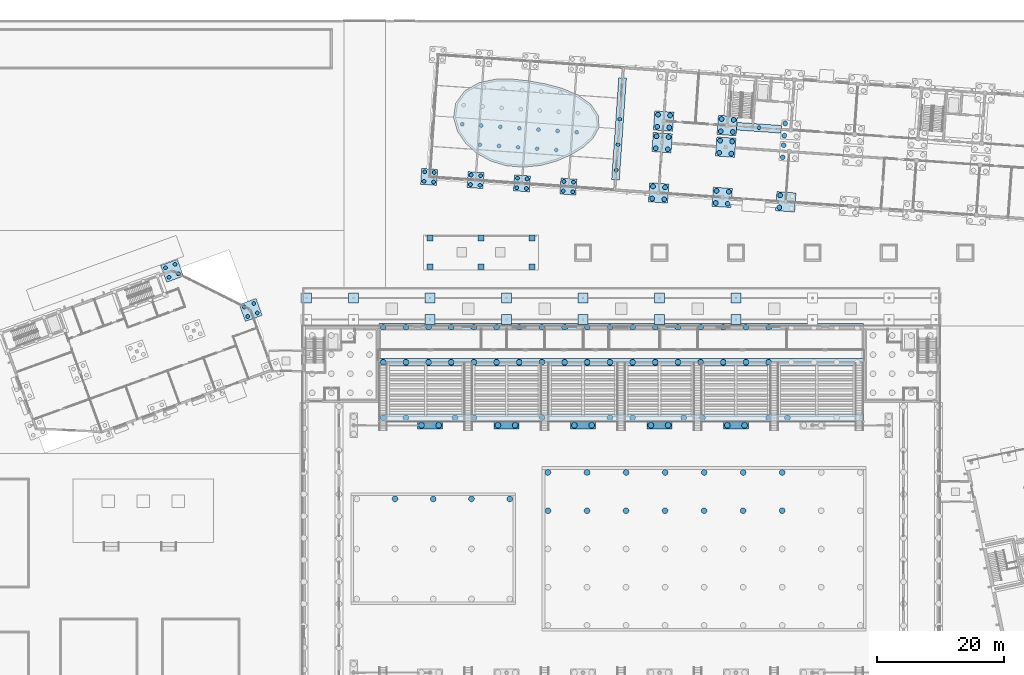
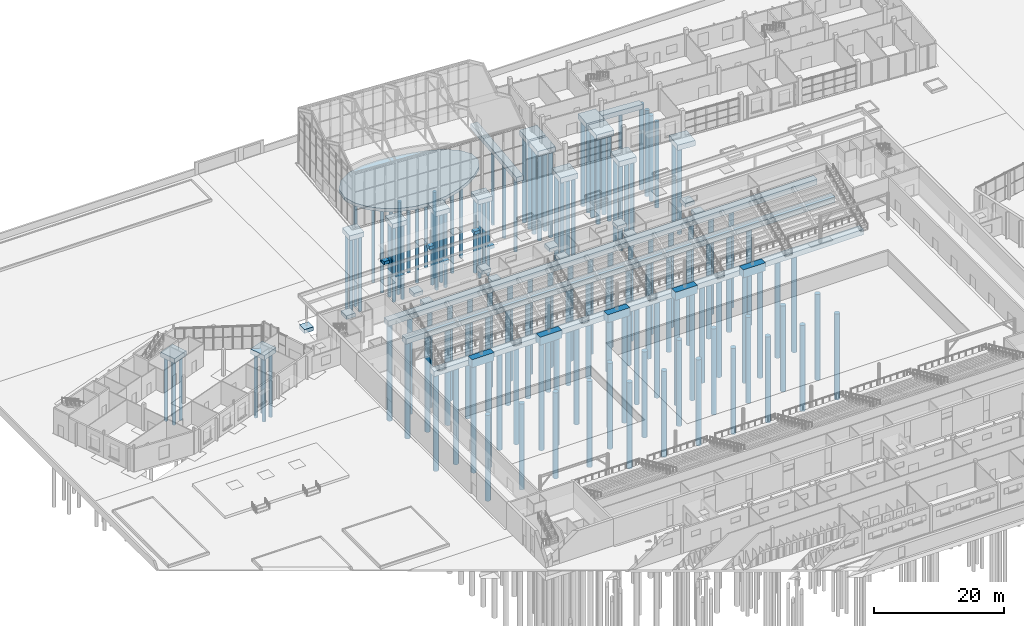
# One storey, part 4 of 157: 145 piles, 42 footings.
"""IFC4 building model written with IfcOpenShell, lengths in metres."""

from ifc_helpers import new_model, si_unit, direction, frame, origin, origin_2d, place, context, subcontext, project, spatial, polyline, rectangle, circle, outline, extrude, material, layer, layer_set, material_profile, profile_set, type_object, element, save


model = new_model("IFC4")

# Units and contexts
model_context = context("Model", 3, precision=1e-05, world=origin(), true_north=direction((0.0, 1.0)))
body_context = subcontext(model_context, "Body", "Model", "MODEL_VIEW")
ifc_project = project(units=[si_unit("LENGTHUNIT", "METRE"), si_unit("AREAUNIT", "SQUARE_METRE"), si_unit("VOLUMEUNIT", "CUBIC_METRE"), si_unit("PLANEANGLEUNIT", "RADIAN"), si_unit("MASSUNIT", "GRAM", prefix="KILO")], contexts=[model_context])

# Site, building, storey
site_placement = place(None, origin())
site = spatial("IfcSite", under=ifc_project, at=site_placement, CompositionType="ELEMENT")
building_placement = place(site_placement, origin())
building = spatial("IfcBuilding", under=site, at=building_placement, Name="Windward Yard Aquatics Centre", CompositionType="ELEMENT")
storey_placement = place(building_placement, origin())
storey = spatial("IfcBuildingStorey", under=building, at=storey_placement, Name="L00", CompositionType="ELEMENT", Elevation=0.0)

# Footings
ifc_material_1 = material(Name="Concrete C35/45", Category="concrete")
footing_type_1 = type_object("IfcFootingType", Name="A pad footing 1600X1600X700", PredefinedType="PAD_FOOTING", material=ifc_material_1)
for number, where, z_axis, x_axis, name in (
    (1, (52.60009765625, 100.39990234375, -0.7001953125), (0.0, 0.0, 1.0), (1.0, 0.0, 0.0), "A.PF.1.2"),
    (2, (60.0, 100.39990234375, -0.7001953125), (0.0, 0.0, 1.0), (1.0, 0.0, 0.0), "A.PF.2.2"),
    (3, (72.0, 97.0, -0.7001953125), (0.0, 0.0, 1.0), (1.0, 0.0, 0.0), "A.PF.3.1"),
    (4, (72.0, 100.39990234375, -0.7001953125), (0.0, 0.0, 1.0), (1.0, 0.0, 0.0), "A.PF.3.2"),
    (5, (84.0, 97.0, -0.7001953125), (0.0, 0.0, 1.0), (1.0, 0.0, 0.0), "A.PF.4.1"),
    (6, (84.0, 100.39990234375, -0.7001953125), (0.0, 0.0, 1.0), (1.0, 0.0, 0.0), "A.PF.4.2"),
    (7, (96.0, 97.0, -0.7001953125), (0.0, 0.0, 1.0), (1.0, 0.0, 0.0), "A.PF.5.1"),
    (8, (96.0, 100.39990234375, -0.7001953125), (0.0, 0.0, 1.0), (1.0, 0.0, 0.0), "A.PF.5.2"),
    (9, (108.0, 97.0, -0.7001953125), (0.0, 0.0, 1.0), (1.0, 0.0, 0.0), "A.PF.6.1"),
    (10, (108.0, 100.39990234375, -0.7001953125), (0.0, 0.0, 1.0), (1.0, 0.0, 0.0), "A.PF.6.2"),
    (11, (120.0, 97.0, -0.7001953125), (0.0, 0.0, 1.0), (1.0, 0.0, 0.0), "A.PF.7.1"),
    (12, (120.0, 100.39990234375, -0.7001953125), (0.0, 0.0, 1.0), (1.0, 0.0, 0.0), "A.PF.7.2"),
):
    element("IfcFooting", number, at=place(storey_placement, frame(where, z_axis=z_axis, x_axis=x_axis)), inside=storey, type_object=footing_type_1, Name=name, PredefinedType="PAD_FOOTING", context=body_context, shape_type="SweptSolid", body=[
        extrude(rectangle(XDim=1.60009765625, YDim=1.60009765625, at=origin_2d()), origin(), (0.0, 0.0, 1.0), 0.699951171875),
    ])

# Piles
ifc_material_2 = material(Name="Concrete C40/50", Category="concrete")
ifc_material_profile_1 = material_profile(ifc_material_2, circle(Radius=0.300048828125, at=origin_2d()), Name="D600")
ifc_profile_set_1 = profile_set([ifc_material_profile_1], Name="Concrete C40/50")
pile_type_1 = type_object("IfcPileType", Name="F bored pile D600 Concrete C40/50", PredefinedType="BORED", material=ifc_profile_set_1)
for number, where, z_axis, x_axis, name in (
    (13, (43.3759765625, 97.472900390625, -0.800048828125), (0.0, 0.0, -1.0), (1.0, 0.0, 0.0), "F.PL.C06.1"),
    (14, (44.87939453125, 98.020263671875, -0.800048828125), (0.0, 0.0, -1.0), (1.0, 0.0, 0.0), "F.PL.C06.2"),
    (15, (44.332275390625, 99.523681640625, -0.800048828125), (0.0, 0.0, -1.0), (1.0, 0.0, 0.0), "F.PL.C06.3"),
    (16, (42.828857421875, 98.9765625, -0.800048828125), (0.0, 0.0, -1.0), (1.0, 0.0, 0.0), "F.PL.C06.4"),
    (17, (31.02880859375, 103.62060546875, -0.800048828125), (0.0, 0.0, -1.0), (1.0, 0.0, 0.0), "F.PL.C07.1"),
    (18, (32.5322265625, 104.16796875, -0.800048828125), (0.0, 0.0, -1.0), (1.0, 0.0, 0.0), "F.PL.C07.2"),
    (19, (31.985107421875, 105.67138671875, -0.800048828125), (0.0, 0.0, -1.0), (1.0, 0.0, 0.0), "F.PL.C07.3"),
    (20, (30.4814453125, 105.124267578125, -0.800048828125), (0.0, 0.0, -1.0), (1.0, 0.0, 0.0), "F.PL.C07.4"),
):
    element("IfcPile", number, at=place(storey_placement, frame(where, z_axis=z_axis, x_axis=x_axis)), inside=storey, type_object=pile_type_1, Name=name, PredefinedType="BORED", context=body_context, shape_type="SweptSolid", body=[
        extrude(circle(Radius=0.300048828125, at=origin_2d()), origin(), (0.0, 0.0, 1.0), 12.02490234375),
    ])

# Footings
footing_type_2 = type_object("IfcFootingType", Name="F pile cap 2800x2800x900 Concrete C40/50", PredefinedType="PILE_CAP", material=ifc_material_2)
footing_1_placement = place(storey_placement, frame((0.0, 0.0, -0.89990234375)))
element("IfcFooting", 21, at=footing_1_placement, inside=storey, type_object=footing_type_2, Name="F.FT.C06", PredefinedType="PILE_CAP", context=body_context, shape_type="SweptSolid", body=[
    extrude(outline(polyline([(42.059814453125, 99.335205078125), (43.017333984375, 96.7041015625), (45.648681640625, 97.66162109375), (44.69091796875, 100.292724609375), (42.059814453125, 99.335205078125)])), origin(), (0.0, 0.0, 1.0), 0.89990234375),
])
footing_2_placement = place(storey_placement, frame((0.0, 0.0, -0.89990234375)))
element("IfcFooting", 22, at=footing_2_placement, inside=storey, type_object=footing_type_2, Name="F.FT.C07", PredefinedType="PILE_CAP", context=body_context, shape_type="SweptSolid", body=[
    extrude(outline(polyline([(29.71240234375, 105.48291015625), (30.670166015625, 102.851806640625), (33.30126953125, 103.809326171875), (32.343505859375, 106.4404296875), (29.71240234375, 105.48291015625)])), origin(), (0.0, 0.0, 1.0), 0.89990234375),
])

# Piles
ifc_material_profile_2 = material_profile(ifc_material_1, circle(Radius=0.449951171875, at=origin_2d()), Name="RC D900")
ifc_profile_set_2 = profile_set([ifc_material_profile_2], Name="Concrete C35/45")
pile_type_2 = type_object("IfcPileType", Name="H bored pile RC D900 C35/45", PredefinedType="BORED", material=ifc_profile_set_2)
for number, where, z_axis, x_axis, name in (
    (23, (64.64990234375, 95.77490234375, -0.89990234375), (0.0, 0.0, -1.0), (1.0, 0.0, 0.0), "H.PL.PW.N.01"),
    (24, (68.20703125, 95.77490234375, -0.89990234375), (0.0, 0.0, -1.0), (1.0, 0.0, 0.0), "H.PL.PW.N.02"),
    (25, (71.764404296875, 95.77490234375, -0.89990234375), (0.0, 0.0, -1.0), (1.0, 0.0, 0.0), "H.PL.PW.N.03"),
    (26, (75.321533203125, 95.77490234375, -0.89990234375), (0.0, 0.0, -1.0), (1.0, 0.0, 0.0), "H.PL.PW.N.04"),
    (27, (78.878662109375, 95.77490234375, -0.89990234375), (0.0, 0.0, -1.0), (1.0, 0.0, 0.0), "H.PL.PW.N.05"),
    (28, (82.435791015625, 95.77490234375, -0.89990234375), (0.0, 0.0, -1.0), (1.0, 0.0, 0.0), "H.PL.PW.N.06"),
    (29, (85.992919921875, 95.77490234375, -0.89990234375), (0.0, 0.0, -1.0), (1.0, 0.0, 0.0), "H.PL.PW.N.07"),
    (30, (89.550048828125, 95.77490234375, -0.89990234375), (0.0, 0.0, -1.0), (1.0, 0.0, 0.0), "H.PL.PW.N.08"),
    (31, (93.107177734375, 95.77490234375, -0.89990234375), (0.0, 0.0, -1.0), (1.0, 0.0, 0.0), "H.PL.PW.N.09"),
    (32, (96.664306640625, 95.77490234375, -0.89990234375), (0.0, 0.0, -1.0), (1.0, 0.0, 0.0), "H.PL.PW.N.10"),
    (33, (100.221435546875, 95.77490234375, -0.89990234375), (0.0, 0.0, -1.0), (1.0, 0.0, 0.0), "H.PL.PW.N.11"),
    (34, (103.778564453125, 95.77490234375, -0.89990234375), (0.0, 0.0, -1.0), (1.0, 0.0, 0.0), "H.PL.PW.N.12"),
    (35, (107.335693359375, 95.77490234375, -0.89990234375), (0.0, 0.0, -1.0), (1.0, 0.0, 0.0), "H.PL.PW.N.13"),
    (36, (110.892822265625, 95.77490234375, -0.89990234375), (0.0, 0.0, -1.0), (1.0, 0.0, 0.0), "H.PL.PW.N.14"),
    (37, (114.449951171875, 95.77490234375, -0.89990234375), (0.0, 0.0, -1.0), (1.0, 0.0, 0.0), "H.PL.PW.N.15"),
    (38, (118.007080078125, 95.77490234375, -0.89990234375), (0.0, 0.0, -1.0), (1.0, 0.0, 0.0), "H.PL.PW.N.16"),
    (39, (121.564208984375, 95.77490234375, -0.89990234375), (0.0, 0.0, -1.0), (1.0, 0.0, 0.0), "H.PL.PW.N.17"),
    (40, (125.121337890625, 95.77490234375, -0.89990234375), (0.0, 0.0, -1.0), (1.0, 0.0, 0.0), "H.PL.PW.N.18"),
    (41, (64.64990234375, 90.290283203125, -0.89990234375), (0.0, 0.0, -1.0), (1.0, 0.0, 0.0), "H.PL.RW.N.01"),
    (42, (68.20703125, 90.290283203125, -0.89990234375), (0.0, 0.0, -1.0), (1.0, 0.0, 0.0), "H.PL.RW.N.02"),
    (43, (71.764404296875, 90.290283203125, -0.89990234375), (0.0, 0.0, -1.0), (1.0, 0.0, 0.0), "H.PL.RW.N.03"),
    (44, (75.321533203125, 90.290283203125, -0.89990234375), (0.0, 0.0, -1.0), (1.0, 0.0, 0.0), "H.PL.RW.N.04"),
    (45, (78.878662109375, 90.290283203125, -0.89990234375), (0.0, 0.0, -1.0), (1.0, 0.0, 0.0), "H.PL.RW.N.05"),
    (46, (82.435791015625, 90.290283203125, -0.89990234375), (0.0, 0.0, -1.0), (1.0, 0.0, 0.0), "H.PL.RW.N.06"),
    (47, (85.992919921875, 90.290283203125, -0.89990234375), (0.0, 0.0, -1.0), (1.0, 0.0, 0.0), "H.PL.RW.N.07"),
    (48, (89.550048828125, 90.290283203125, -0.89990234375), (0.0, 0.0, -1.0), (1.0, 0.0, 0.0), "H.PL.RW.N.08"),
    (49, (93.107177734375, 90.290283203125, -0.89990234375), (0.0, 0.0, -1.0), (1.0, 0.0, 0.0), "H.PL.RW.N.09"),
    (50, (96.664306640625, 90.290283203125, -0.89990234375), (0.0, 0.0, -1.0), (1.0, 0.0, 0.0), "H.PL.RW.N.10"),
    (51, (100.221435546875, 90.290283203125, -0.89990234375), (0.0, 0.0, -1.0), (1.0, 0.0, 0.0), "H.PL.RW.N.11"),
    (52, (103.778564453125, 90.290283203125, -0.89990234375), (0.0, 0.0, -1.0), (1.0, 0.0, 0.0), "H.PL.RW.N.12"),
    (53, (107.335693359375, 90.290283203125, -0.89990234375), (0.0, 0.0, -1.0), (1.0, 0.0, 0.0), "H.PL.RW.N.13"),
    (54, (110.892822265625, 90.290283203125, -0.89990234375), (0.0, 0.0, -1.0), (1.0, 0.0, 0.0), "H.PL.RW.N.14"),
    (55, (114.449951171875, 90.290283203125, -0.89990234375), (0.0, 0.0, -1.0), (1.0, 0.0, 0.0), "H.PL.RW.N.15"),
    (56, (118.007080078125, 90.290283203125, -0.89990234375), (0.0, 0.0, -1.0), (1.0, 0.0, 0.0), "H.PL.RW.N.16"),
    (57, (121.564208984375, 90.290283203125, -0.89990234375), (0.0, 0.0, -1.0), (1.0, 0.0, 0.0), "H.PL.RW.N.17"),
    (58, (125.121337890625, 90.290283203125, -0.89990234375), (0.0, 0.0, -1.0), (1.0, 0.0, 0.0), "H.PL.RW.N.18"),
    (59, (64.64990234375, 81.60009765625, -1.699951171875), (0.0, 0.0, -1.0), (1.0, 0.0, 0.0), "H.PL.SW.N.01"),
    (60, (68.20703125, 81.60009765625, -1.699951171875), (0.0, 0.0, -1.0), (1.0, 0.0, 0.0), "H.PL.SW.N.02"),
    (61, (75.92138671875, 81.60009765625, -1.699951171875), (0.0, 0.0, -1.0), (1.0, 0.0, 0.0), "H.PL.SW.N.03"),
    (62, (78.878662109375, 81.60009765625, -1.699951171875), (0.0, 0.0, -1.0), (1.0, 0.0, 0.0), "H.PL.SW.N.04"),
    (63, (89.550048828125, 81.60009765625, -1.699951171875), (0.0, 0.0, -1.0), (1.0, 0.0, 0.0), "H.PL.SW.N.05"),
    (64, (100.221435546875, 81.60009765625, -1.699951171875), (0.0, 0.0, -1.0), (1.0, 0.0, 0.0), "H.PL.SW.N.06"),
    (65, (103.778564453125, 81.60009765625, -1.699951171875), (0.0, 0.0, -1.0), (1.0, 0.0, 0.0), "H.PL.SW.N.07"),
    (66, (111.79296875, 81.60009765625, -1.699951171875), (0.0, 0.0, -1.0), (1.0, 0.0, 0.0), "H.PL.SW.N.08"),
    (67, (114.75, 81.60009765625, -1.699951171875), (0.0, 0.0, -1.0), (1.0, 0.0, 0.0), "H.PL.SW.N.09"),
    (68, (125.121337890625, 81.60009765625, -1.699951171875), (0.0, 0.0, -1.0), (1.0, 0.0, 0.0), "H.PL.SW.N.10"),
    (69, (128.07861328125, 81.60009765625, -1.699951171875), (0.0, 0.0, -1.0), (1.0, 0.0, 0.0), "H.PL.SW.N.11"),
):
    element("IfcPile", number, at=place(storey_placement, frame(where, z_axis=z_axis, x_axis=x_axis)), inside=storey, type_object=pile_type_2, Name=name, PredefinedType="BORED", context=body_context, shape_type="SweptSolid", body=[
        extrude(circle(Radius=0.449951171875, at=origin_2d()), origin(), (0.0, 0.0, 1.0), 18.10009765625),
    ])
for number, where, z_axis, x_axis, name in (
    (70, (70.64990234375, 80.39990234375, -1.39990234375), (0.0, 0.0, -1.0), (1.0, 0.0, 0.0), "H.PL.AC.N2.1"),
    (71, (73.35009765625, 80.39990234375, -1.39990234375), (0.0, 0.0, -1.0), (1.0, 0.0, 0.0), "H.PL.AC.N2.2"),
    (72, (82.64990234375, 80.39990234375, -1.39990234375), (0.0, 0.0, -1.0), (1.0, 0.0, 0.0), "H.PL.AC.N3.1"),
    (73, (85.35009765625, 80.39990234375, -1.39990234375), (0.0, 0.0, -1.0), (1.0, 0.0, 0.0), "H.PL.AC.N3.2"),
    (74, (94.64990234375, 80.39990234375, -1.39990234375), (0.0, 0.0, -1.0), (1.0, 0.0, 0.0), "H.PL.AC.N4.1"),
    (75, (97.35009765625, 80.39990234375, -1.39990234375), (0.0, 0.0, -1.0), (1.0, 0.0, 0.0), "H.PL.AC.N4.2"),
    (76, (106.64990234375, 80.39990234375, -1.39990234375), (0.0, 0.0, -1.0), (1.0, 0.0, 0.0), "H.PL.AC.N5.1"),
    (77, (109.35009765625, 80.39990234375, -1.39990234375), (0.0, 0.0, -1.0), (1.0, 0.0, 0.0), "H.PL.AC.N5.2"),
    (78, (118.64990234375, 80.39990234375, -1.39990234375), (0.0, 0.0, -1.0), (1.0, 0.0, 0.0), "H.PL.AC.N6.1"),
    (79, (121.35009765625, 80.39990234375, -1.39990234375), (0.0, 0.0, -1.0), (1.0, 0.0, 0.0), "H.PL.AC.N6.2"),
):
    element("IfcPile", number, at=place(storey_placement, frame(where, z_axis=z_axis, x_axis=x_axis)), inside=storey, type_object=pile_type_2, Name=name, PredefinedType="BORED", context=body_context, shape_type="SweptSolid", body=[
        extrude(circle(Radius=0.449951171875, at=origin_2d()), origin(), (0.0, 0.0, 1.0), 20.10009765625),
    ])
for number, where, z_axis, x_axis, name in (
    (80, (90.5, 67.0, -3.39990234375), (0.0, 0.0, -1.0), (1.0, 0.0, 0.0), "H.PL.TK.C.04"),
    (81, (90.5, 73.0, -3.39990234375), (0.0, 0.0, -1.0), (1.0, 0.0, 0.0), "H.PL.TK.C.05"),
    (82, (96.625, 67.0, -3.39990234375), (0.0, 0.0, -1.0), (1.0, 0.0, 0.0), "H.PL.TK.C.09"),
    (83, (96.625, 73.0, -3.39990234375), (0.0, 0.0, -1.0), (1.0, 0.0, 0.0), "H.PL.TK.C.10"),
    (84, (102.75, 67.0, -3.39990234375), (0.0, 0.0, -1.0), (1.0, 0.0, 0.0), "H.PL.TK.C.14"),
    (85, (102.75, 73.0, -3.39990234375), (0.0, 0.0, -1.0), (1.0, 0.0, 0.0), "H.PL.TK.C.15"),
    (86, (108.875, 67.0, -3.39990234375), (0.0, 0.0, -1.0), (1.0, 0.0, 0.0), "H.PL.TK.C.19"),
    (87, (108.875, 73.0, -3.39990234375), (0.0, 0.0, -1.0), (1.0, 0.0, 0.0), "H.PL.TK.C.20"),
    (88, (115.0, 67.0, -3.39990234375), (0.0, 0.0, -1.0), (1.0, 0.0, 0.0), "H.PL.TK.C.24"),
    (89, (115.0, 73.0, -3.39990234375), (0.0, 0.0, -1.0), (1.0, 0.0, 0.0), "H.PL.TK.C.25"),
    (90, (121.125, 67.0, -3.39990234375), (0.0, 0.0, -1.0), (1.0, 0.0, 0.0), "H.PL.TK.C.29"),
    (91, (121.125, 73.0, -3.39990234375), (0.0, 0.0, -1.0), (1.0, 0.0, 0.0), "H.PL.TK.C.30"),
    (92, (127.25, 67.0, -3.39990234375), (0.0, 0.0, -1.0), (1.0, 0.0, 0.0), "H.PL.TK.C.34"),
    (93, (127.25, 73.0, -3.39990234375), (0.0, 0.0, -1.0), (1.0, 0.0, 0.0), "H.PL.TK.C.35"),
    (94, (66.5, 68.85009765625, -2.199951171875), (0.0, 0.0, -1.0), (1.0, 0.0, 0.0), "H.PL.TK.T.06"),
    (95, (72.5, 68.85009765625, -2.199951171875), (0.0, 0.0, -1.0), (1.0, 0.0, 0.0), "H.PL.TK.T.09"),
    (96, (78.5, 68.85009765625, -2.199951171875), (0.0, 0.0, -1.0), (1.0, 0.0, 0.0), "H.PL.TK.T.12"),
    (97, (84.5, 68.85009765625, -2.199951171875), (0.0, 0.0, -1.0), (1.0, 0.0, 0.0), "H.PL.TK.T.15"),
):
    element("IfcPile", number, at=place(storey_placement, frame(where, z_axis=z_axis, x_axis=x_axis)), inside=storey, type_object=pile_type_2, Name=name, PredefinedType="BORED", context=body_context, shape_type="SweptSolid", body=[
        extrude(circle(Radius=0.449951171875, at=origin_2d()), origin(), (0.0, 0.0, 1.0), 16.10009765625),
    ])

# Footings
footing_type_3 = type_object("IfcFootingType", Name="H pile cap 3900x1200x1500", PredefinedType="PILE_CAP", material=ifc_material_1)
for number, where, z_axis, x_axis, name in (
    (98, (72.0, 80.39990234375, -1.5), (0.0, 0.0, 1.0), (1.0, 0.0, 0.0), "H.FT.AC.N2"),
    (99, (84.0, 80.39990234375, -1.5), (0.0, 0.0, 1.0), (1.0, 0.0, 0.0), "H.FT.AC.N3"),
    (100, (96.0, 80.39990234375, -1.5), (0.0, 0.0, 1.0), (1.0, 0.0, 0.0), "H.FT.AC.N4"),
    (101, (108.0, 80.39990234375, -1.5), (0.0, 0.0, 1.0), (1.0, 0.0, 0.0), "H.FT.AC.N5"),
    (102, (120.0, 80.39990234375, -1.5), (0.0, 0.0, 1.0), (1.0, 0.0, 0.0), "H.FT.AC.N6"),
):
    element("IfcFooting", number, at=place(storey_placement, frame(where, z_axis=z_axis, x_axis=x_axis)), inside=storey, type_object=footing_type_3, Name=name, PredefinedType="PILE_CAP", context=body_context, shape_type="SweptSolid", body=[
        extrude(rectangle(XDim=3.89990234375, YDim=1.199951171875, at=origin_2d()), origin(), (0.0, 0.0, 1.0), 1.5),
    ])
footing_type_4 = type_object("IfcFootingType", Name="H strip footing 1200x1000", PredefinedType="STRIP_FOOTING", material=ifc_material_1)
for number, where, z_axis, x_axis, name in (
    (103, (102.0, 95.77490234375, -1.0), (0.0, 0.0, 1.0), (1.0, 0.0, 0.0), "H.FT.PW.N"),
    (104, (102.0, 90.290283203125, -1.0), (0.0, 0.0, 1.0), (1.0, 0.0, 0.0), "H.FT.RW.N"),
    (105, (102.0, 81.60009765625, -1.800048828125), (0.0, 0.0, 1.0), (1.0, 0.0, 0.0), "H.FT.SW.N"),
):
    element("IfcFooting", number, at=place(storey_placement, frame(where, z_axis=z_axis, x_axis=x_axis)), inside=storey, type_object=footing_type_4, Name=name, PredefinedType="STRIP_FOOTING", context=body_context, shape_type="SweptSolid", body=[
        extrude(rectangle(XDim=76.0, YDim=1.199951171875, at=origin_2d()), origin(), (0.0, 0.0, 1.0), 1.0),
    ])

# Piles
ifc_material_profile_3 = material_profile(ifc_material_1, circle(Radius=0.300048828125, at=origin_2d()), Name="D600")
ifc_profile_set_3 = profile_set([ifc_material_profile_3], Name="Concrete C35/45")
pile_type_3 = type_object("IfcPileType", Name="W bored pile D600 Concrete C35/45", PredefinedType="BORED", material=ifc_profile_set_3)
for number, where, z_axis, x_axis, name in (
    (106, (71.05078125, 118.6875, -1.10009765625), (0.0, 0.0, -1.0), (1.0, 0.0, 0.0), "W.CAPH.1S.P1"),
    (107, (72.547119140625, 118.582763671875, -1.10009765625), (0.0, 0.0, -1.0), (1.0, 0.0, 0.0), "W.CAPH.1S.P2"),
    (108, (72.651611328125, 120.0791015625, -1.10009765625), (0.0, 0.0, -1.0), (1.0, 0.0, 0.0), "W.CAPH.1S.P3"),
    (109, (71.1552734375, 120.183837890625, -1.10009765625), (0.0, 0.0, -1.0), (1.0, 0.0, 0.0), "W.CAPH.1S.P4"),
    (110, (78.3330078125, 118.17822265625, -1.10009765625), (0.0, 0.0, -1.0), (1.0, 0.0, 0.0), "W.CAPH.2S.P1"),
    (111, (79.8291015625, 118.073486328125, -1.10009765625), (0.0, 0.0, -1.0), (1.0, 0.0, 0.0), "W.CAPH.2S.P2"),
    (112, (79.933837890625, 119.56982421875, -1.10009765625), (0.0, 0.0, -1.0), (1.0, 0.0, 0.0), "W.CAPH.2S.P3"),
    (113, (78.4375, 119.674560546875, -1.10009765625), (0.0, 0.0, -1.0), (1.0, 0.0, 0.0), "W.CAPH.2S.P4"),
    (114, (85.614990234375, 117.6689453125, -1.10009765625), (0.0, 0.0, -1.0), (1.0, 0.0, 0.0), "W.CAPH.3S.P1"),
    (115, (87.111572265625, 117.564453125, -1.10009765625), (0.0, 0.0, -1.0), (1.0, 0.0, 0.0), "W.CAPH.3S.P2"),
    (116, (87.216064453125, 119.060791015625, -1.10009765625), (0.0, 0.0, -1.0), (1.0, 0.0, 0.0), "W.CAPH.3S.P3"),
    (117, (85.7197265625, 119.165283203125, -1.10009765625), (0.0, 0.0, -1.0), (1.0, 0.0, 0.0), "W.CAPH.3S.P4"),
    (118, (92.897216796875, 117.159912109375, -1.10009765625), (0.0, 0.0, -1.0), (1.0, 0.0, 0.0), "W.CAPH.4S.P1"),
    (119, (94.393798828125, 117.05517578125, -1.10009765625), (0.0, 0.0, -1.0), (1.0, 0.0, 0.0), "W.CAPH.4S.P2"),
    (120, (94.498291015625, 118.551513671875, -1.10009765625), (0.0, 0.0, -1.0), (1.0, 0.0, 0.0), "W.CAPH.4S.P3"),
    (121, (93.001953125, 118.656005859375, -1.10009765625), (0.0, 0.0, -1.0), (1.0, 0.0, 0.0), "W.CAPH.4S.P4"),
    (122, (101.1962890625, 120.43896484375, -1.10009765625), (0.0, 0.0, -1.0), (1.0, 0.0, 0.0), "W.FB.HALL.E.P1"),
    (123, (101.475341796875, 124.42919921875, -1.10009765625), (0.0, 0.0, -1.0), (1.0, 0.0, 0.0), "W.FB.HALL.E.P2"),
    (124, (101.75439453125, 128.41943359375, -1.10009765625), (0.0, 0.0, -1.0), (1.0, 0.0, 0.0), "W.FB.HALL.E.P3"),
    (125, (123.614990234375, 127.09130859375, -1.10009765625), (0.0, 0.0, -1.0), (1.0, 0.0, 0.0), "W.FB.W.1.P1"),
):
    element("IfcPile", number, at=place(storey_placement, frame(where, z_axis=z_axis, x_axis=x_axis)), inside=storey, type_object=pile_type_3, Name=name, PredefinedType="BORED", context=body_context, shape_type="SweptSolid", body=[
        extrude(circle(Radius=0.300048828125, at=origin_2d()), origin(), (0.0, 0.0, 1.0), 14.10009765625),
    ])
for number, where, z_axis, x_axis, name in (
    (126, (77.039794921875, 127.6416015625, -1.699951171875), (0.0, 0.0, -1.0), (1.0, 0.0, 0.0), "W.TANK.P01"),
    (127, (79.8232421875, 124.439453125, -1.699951171875), (0.0, 0.0, -1.0), (1.0, 0.0, 0.0), "W.TANK.P03"),
    (128, (80.03271484375, 127.43212890625, -1.699951171875), (0.0, 0.0, -1.0), (1.0, 0.0, 0.0), "W.TANK.P04"),
    (129, (82.81591796875, 124.230224609375, -1.699951171875), (0.0, 0.0, -1.0), (1.0, 0.0, 0.0), "W.TANK.P07"),
    (130, (83.025146484375, 127.222900390625, -1.699951171875), (0.0, 0.0, -1.0), (1.0, 0.0, 0.0), "W.TANK.P08"),
    (131, (85.80859375, 124.02099609375, -1.699951171875), (0.0, 0.0, -1.0), (1.0, 0.0, 0.0), "W.TANK.P11"),
    (132, (86.017822265625, 127.013671875, -1.699951171875), (0.0, 0.0, -1.0), (1.0, 0.0, 0.0), "W.TANK.P12"),
    (133, (88.801513671875, 123.811767578125, -1.699951171875), (0.0, 0.0, -1.0), (1.0, 0.0, 0.0), "W.TANK.P15"),
    (134, (89.010498046875, 126.804443359375, -1.699951171875), (0.0, 0.0, -1.0), (1.0, 0.0, 0.0), "W.TANK.P16"),
    (135, (91.794189453125, 123.602294921875, -1.699951171875), (0.0, 0.0, -1.0), (1.0, 0.0, 0.0), "W.TANK.P19"),
    (136, (92.00341796875, 126.59521484375, -1.699951171875), (0.0, 0.0, -1.0), (1.0, 0.0, 0.0), "W.TANK.P20"),
    (137, (94.99609375, 126.385986328125, -1.699951171875), (0.0, 0.0, -1.0), (1.0, 0.0, 0.0), "W.TANK.P23"),
):
    element("IfcPile", number, at=place(storey_placement, frame(where, z_axis=z_axis, x_axis=x_axis)), inside=storey, type_object=pile_type_3, Name=name, PredefinedType="BORED", context=body_context, shape_type="SweptSolid", body=[
        extrude(circle(Radius=0.300048828125, at=origin_2d()), origin(), (0.0, 0.0, 1.0), 16.10009765625),
    ])
ifc_material_profile_4 = material_profile(ifc_material_1, circle(Radius=0.375, at=origin_2d()), Name="D750")
ifc_profile_set_4 = profile_set([ifc_material_profile_4], Name="Concrete C35/45")
pile_type_4 = type_object("IfcPileType", Name="W bored pile D750 Concrete C35/45", PredefinedType="BORED", material=ifc_profile_set_4)
for number, where, z_axis, x_axis, name in (
    (138, (106.849365234375, 115.983642578125, -1.199951171875), (0.0, 0.0, -1.0), (1.0, 0.0, 0.0), "W.CAP.1A.P1"),
    (139, (108.74462890625, 115.85107421875, -1.199951171875), (0.0, 0.0, -1.0), (1.0, 0.0, 0.0), "W.CAP.1A.P2"),
    (140, (108.877197265625, 117.74658203125, -1.199951171875), (0.0, 0.0, -1.0), (1.0, 0.0, 0.0), "W.CAP.1A.P3"),
    (141, (106.981689453125, 117.879150390625, -1.199951171875), (0.0, 0.0, -1.0), (1.0, 0.0, 0.0), "W.CAP.1A.P4"),
    (142, (107.400390625, 123.864501953125, -1.199951171875), (0.0, 0.0, -1.0), (1.0, 0.0, 0.0), "W.CAP.1B.P1"),
    (143, (109.295654296875, 123.73193359375, -1.199951171875), (0.0, 0.0, -1.0), (1.0, 0.0, 0.0), "W.CAP.1B.P2"),
    (144, (109.42822265625, 125.627197265625, -1.199951171875), (0.0, 0.0, -1.0), (1.0, 0.0, 0.0), "W.CAP.1B.P3"),
    (145, (107.532958984375, 125.759765625, -1.199951171875), (0.0, 0.0, -1.0), (1.0, 0.0, 0.0), "W.CAP.1B.P4"),
    (146, (107.637451171875, 127.256103515625, -1.199951171875), (0.0, 0.0, -1.0), (1.0, 0.0, 0.0), "W.CAP.1C.P1"),
    (147, (109.532958984375, 127.12353515625, -1.199951171875), (0.0, 0.0, -1.0), (1.0, 0.0, 0.0), "W.CAP.1C.P2"),
    (148, (109.665283203125, 129.01904296875, -1.199951171875), (0.0, 0.0, -1.0), (1.0, 0.0, 0.0), "W.CAP.1C.P3"),
    (149, (107.77001953125, 129.151611328125, -1.199951171875), (0.0, 0.0, -1.0), (1.0, 0.0, 0.0), "W.CAP.1C.P4"),
    (150, (116.824951171875, 115.2861328125, -1.199951171875), (0.0, 0.0, -1.0), (1.0, 0.0, 0.0), "W.CAP.2A.P1"),
    (151, (118.72021484375, 115.153564453125, -1.199951171875), (0.0, 0.0, -1.0), (1.0, 0.0, 0.0), "W.CAP.2A.P2"),
    (152, (118.852783203125, 117.048828125, -1.199951171875), (0.0, 0.0, -1.0), (1.0, 0.0, 0.0), "W.CAP.2A.P3"),
    (153, (116.95751953125, 117.181396484375, -1.199951171875), (0.0, 0.0, -1.0), (1.0, 0.0, 0.0), "W.CAP.2A.P4"),
    (154, (117.3759765625, 123.1669921875, -1.199951171875), (0.0, 0.0, -1.0), (1.0, 0.0, 0.0), "W.CAP.2B.P1"),
    (155, (119.271484375, 123.0341796875, -1.199951171875), (0.0, 0.0, -1.0), (1.0, 0.0, 0.0), "W.CAP.2B.P2"),
    (156, (119.40380859375, 124.9296875, -1.199951171875), (0.0, 0.0, -1.0), (1.0, 0.0, 0.0), "W.CAP.2B.P3"),
    (157, (117.508544921875, 125.062255859375, -1.199951171875), (0.0, 0.0, -1.0), (1.0, 0.0, 0.0), "W.CAP.2B.P4"),
    (158, (117.61328125, 126.55859375, -1.199951171875), (0.0, 0.0, -1.0), (1.0, 0.0, 0.0), "W.CAP.2C.P1"),
    (159, (119.508544921875, 126.426025390625, -1.199951171875), (0.0, 0.0, -1.0), (1.0, 0.0, 0.0), "W.CAP.2C.P2"),
    (160, (119.64111328125, 128.3212890625, -1.199951171875), (0.0, 0.0, -1.0), (1.0, 0.0, 0.0), "W.CAP.2C.P3"),
    (161, (117.74560546875, 128.4541015625, -1.199951171875), (0.0, 0.0, -1.0), (1.0, 0.0, 0.0), "W.CAP.2C.P4"),
    (162, (126.800537109375, 114.588623046875, -1.199951171875), (0.0, 0.0, -1.0), (1.0, 0.0, 0.0), "W.CAP.3A.P1"),
    (163, (126.93310546875, 116.48388671875, -1.199951171875), (0.0, 0.0, -1.0), (1.0, 0.0, 0.0), "W.CAP.3A.P4"),
    (164, (127.3515625, 122.46923828125, -1.199951171875), (0.0, 0.0, -1.0), (1.0, 0.0, 0.0), "W.CAP.3B.P1"),
    (165, (127.484130859375, 124.36474609375, -1.199951171875), (0.0, 0.0, -1.0), (1.0, 0.0, 0.0), "W.CAP.3B.P4"),
    (166, (127.5888671875, 125.861083984375, -1.199951171875), (0.0, 0.0, -1.0), (1.0, 0.0, 0.0), "W.CAP.3C.P1"),
    (167, (127.72119140625, 127.75634765625, -1.199951171875), (0.0, 0.0, -1.0), (1.0, 0.0, 0.0), "W.CAP.3C.P4"),
):
    element("IfcPile", number, at=place(storey_placement, frame(where, z_axis=z_axis, x_axis=x_axis)), inside=storey, type_object=pile_type_4, Name=name, PredefinedType="BORED", context=body_context, shape_type="SweptSolid", body=[
        extrude(circle(Radius=0.375, at=origin_2d()), origin(), (0.0, 0.0, 1.0), 16.10009765625),
    ])

# Footings
footing_type_5 = type_object("IfcFootingType", Name="W footing beam 1200x900 Concrete C35/45", PredefinedType="FOOTING_BEAM", material=ifc_material_1)
footing_3_placement = place(storey_placement, frame((0.0, 0.0, -1.199951171875)))
element("IfcFooting", 168, at=footing_3_placement, inside=storey, type_object=footing_type_5, Name="W.FB.HALL.E", PredefinedType="FOOTING_BEAM", context=body_context, shape_type="SweptSolid", body=[
    extrude(outline(polyline([(100.4931640625, 118.984375), (101.690185546875, 118.900634765625), (102.806396484375, 134.86181640625), (101.609130859375, 134.9453125), (100.4931640625, 118.984375)])), origin(), (0.0, 0.0, 1.0), 0.89990234375),
])
footing_4_placement = place(storey_placement, frame((0.0, 0.0, -1.199951171875)))
element("IfcFooting", 169, at=footing_4_placement, inside=storey, type_object=footing_type_5, Name="W.FB.W.1", PredefinedType="FOOTING_BEAM", context=body_context, shape_type="SweptSolid", body=[
    extrude(outline(polyline([(120.08154296875, 126.73681640625), (127.064697265625, 126.24853515625), (127.148193359375, 127.445556640625), (120.165283203125, 127.933837890625), (120.08154296875, 126.73681640625)])), origin(), (0.0, 0.0, 1.0), 0.89990234375),
])
footing_type_6 = type_object("IfcFootingType", Name="W pile cap 2500x2500x900 Concrete C35/45", PredefinedType="PILE_CAP", material=ifc_material_1)
for number, where, z_axis, x_axis, name in (
    (170, (71.851318359375, 119.38330078125, -1.199951171875), (0.0, 0.0, 1.0), (0.99756405026, -0.069756473744, 0.0), "W.CAPH.1S"),
    (171, (79.13330078125, 118.8740234375, -1.199951171875), (0.0, 0.0, 1.0), (0.99756405026, -0.069756473744, 0.0), "W.CAPH.2S"),
    (172, (86.41552734375, 118.364990234375, -1.199951171875), (0.0, 0.0, 1.0), (0.99756405026, -0.069756473744, 0.0), "W.CAPH.3S"),
    (173, (93.69775390625, 117.855712890625, -1.199951171875), (0.0, 0.0, 1.0), (0.99756405026, -0.069756473744, 0.0), "W.CAPH.4S"),
):
    element("IfcFooting", number, at=place(storey_placement, frame(where, z_axis=z_axis, x_axis=x_axis)), inside=storey, type_object=footing_type_6, Name=name, PredefinedType="PILE_CAP", context=body_context, shape_type="SweptSolid", body=[
        extrude(rectangle(XDim=2.5, YDim=2.5, at=origin_2d()), origin(), (0.0, 0.0, 1.0), 0.89990234375),
    ])
footing_type_7 = type_object("IfcFootingType", Name="W pile cap 3000x3000x1000 Concrete C35/45", PredefinedType="PILE_CAP", material=ifc_material_1)
for number, where, z_axis, x_axis, name in (
    (174, (107.86328125, 116.864990234375, -1.300048828125), (0.0, 0.0, 1.0), (0.99756405026, -0.069756473744, 0.0), "W.CAP.1A"),
    (175, (108.414306640625, 124.745849609375, -1.300048828125), (0.0, 0.0, 1.0), (0.99756405026, -0.069756473744, 0.0), "W.CAP.1B"),
    (176, (108.651611328125, 128.1376953125, -1.300048828125), (0.0, 0.0, 1.0), (0.99756405026, -0.069756473744, 0.0), "W.CAP.1C"),
    (177, (117.8388671875, 116.16748046875, -1.300048828125), (0.0, 0.0, 1.0), (0.99756405026, -0.069756473744, 0.0), "W.CAP.2A"),
    (178, (118.389892578125, 124.04833984375, -1.300048828125), (0.0, 0.0, 1.0), (0.99756405026, -0.069756473744, 0.0), "W.CAP.2B"),
    (179, (118.627197265625, 127.43994140625, -1.300048828125), (0.0, 0.0, 1.0), (0.99756405026, -0.069756473744, 0.0), "W.CAP.2C"),
    (180, (127.814453125, 115.469970703125, -1.300048828125), (0.0, 0.0, 1.0), (0.99756405026, -0.069756473744, 0.0), "W.CAP.3A"),
):
    element("IfcFooting", number, at=place(storey_placement, frame(where, z_axis=z_axis, x_axis=x_axis)), inside=storey, type_object=footing_type_7, Name=name, PredefinedType="PILE_CAP", context=body_context, shape_type="SweptSolid", body=[
        extrude(rectangle(XDim=3.0, YDim=3.0, at=origin_2d()), origin(), (0.0, 0.0, 1.0), 1.0),
    ])
ifc_layer = layer(ifc_material_1, 0.60009765625)
ifc_layer_set = layer_set([ifc_layer], Name="W pool raft 600 Concrete C35/45")
footing_type_8 = type_object("IfcFootingType", Name="W pool raft 600 Concrete C35/45", PredefinedType="PILE_CAP", material=ifc_layer_set)
footing_5_placement = place(storey_placement, frame((0.0, 0.0, -1.800048828125)))
element("IfcFooting", 181, at=footing_5_placement, inside=storey, type_object=footing_type_8, Name="W.TANK.RAFT", PredefinedType="PILE_CAP", context=body_context, shape_type="SweptSolid", body=[
    extrude(outline(polyline([(75.67626953125, 128.6982421875), (76.020751953125, 130.9716796875), (77.460693359375, 132.916015625), (79.7431640625, 134.18896484375), (82.404052734375, 134.7255859375), (85.049072265625, 134.719970703125), (87.562255859375, 134.43310546875), (90.05810546875, 133.98583984375), (92.64208984375, 133.306884765625), (95.168701171875, 132.252197265625), (97.24169921875, 130.77490234375), (98.430908203125, 128.9736328125), (98.49072265625, 127.0927734375), (97.567626953125, 125.4169921875), (96.032470703125, 124.018798828125), (94.119873046875, 122.843505859375), (91.88623046875, 121.86669921875), (89.347412109375, 121.171142578125), (86.615478515625, 120.89404296875), (83.9130859375, 121.13818359375), (81.45751953125, 121.890380859375), (79.3544921875, 123.06787109375), (77.61572265625, 124.60791015625), (76.3115234375, 126.50048828125), (75.67626953125, 128.6982421875)])), origin(), (0.0, 0.0, 1.0), 0.60009765625),
])
footing_type_9 = type_object("IfcFootingType", Name="X Pad Footing 900 x 900 x 600", PredefinedType="PAD_FOOTING", material=ifc_material_1)
for number, where, z_axis, x_axis, name in (
    (182, (72.0, 105.300048828125, -0.699951171875), (0.0, 0.0, 1.0), (1.0, 0.0, 0.0), "Bicycle shelter pad 1"),
    (183, (72.0, 109.800048828125, -0.699951171875), (0.0, 0.0, 1.0), (1.0, 0.0, 0.0), "Bicycle shelter pad 2"),
    (184, (80.0, 105.300048828125, -0.699951171875), (0.0, 0.0, 1.0), (1.0, 0.0, 0.0), "Bicycle shelter pad 3"),
    (185, (80.0, 109.800048828125, -0.699951171875), (0.0, 0.0, 1.0), (1.0, 0.0, 0.0), "Bicycle shelter pad 4"),
    (186, (88.0, 105.300048828125, -0.699951171875), (0.0, 0.0, 1.0), (1.0, 0.0, 0.0), "Bicycle shelter pad 5"),
    (187, (88.0, 109.800048828125, -0.699951171875), (0.0, 0.0, 1.0), (1.0, 0.0, 0.0), "Bicycle shelter pad 6"),
):
    element("IfcFooting", number, at=place(storey_placement, frame(where, z_axis=z_axis, x_axis=x_axis)), inside=storey, type_object=footing_type_9, Name=name, PredefinedType="PAD_FOOTING", context=body_context, shape_type="SweptSolid", body=[
        extrude(rectangle(XDim=0.89990234375, YDim=0.89990234375, at=origin_2d()), origin(), (0.0, 0.0, 1.0), 0.60009765625),
    ])

save(model, "model.ifc")
